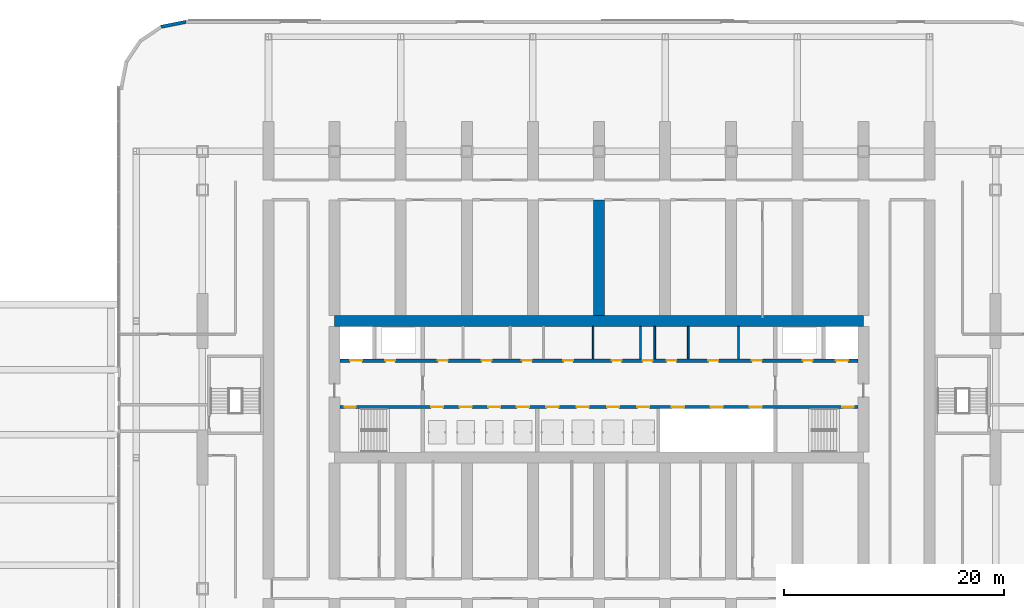
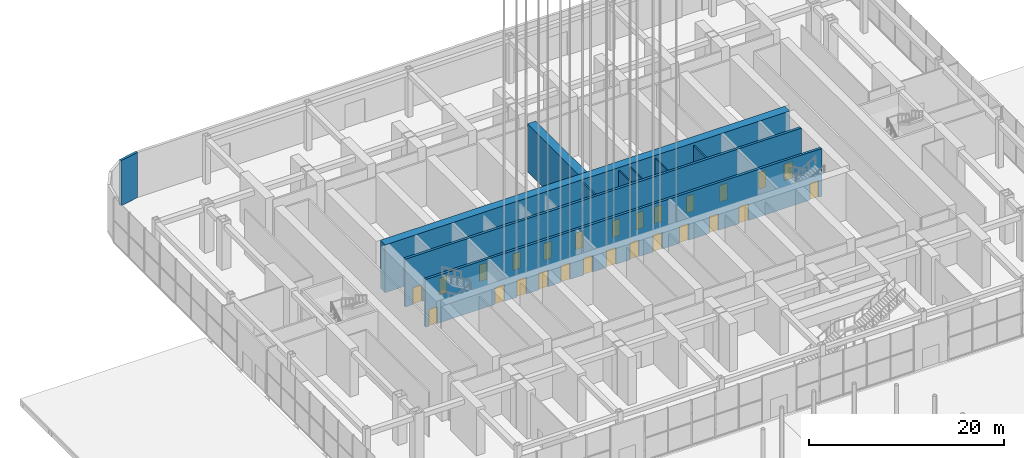
# One storey, part 20 of 57: 26 doors, 10 walls, 26 openings.
"""IFC4 building model written with IfcOpenShell, lengths in metres."""

from ifc_helpers import new_model, si_unit, direction, frame, frame_2d, origin, place, context, subcontext, project, spatial, polyline, rectangle, outline, extrude, material, layer, layer_set, type_object, element, fill, save


model = new_model("IFC4")

# Units and contexts
model_context = context("Model", 3, precision=1e-05, world=origin(), true_north=direction((0.0, 1.0)))
body_context = subcontext(model_context, "Body", "Model", "MODEL_VIEW")
ifc_project = project(units=[si_unit("LENGTHUNIT", "METRE"), si_unit("AREAUNIT", "SQUARE_METRE"), si_unit("VOLUMEUNIT", "CUBIC_METRE"), si_unit("PLANEANGLEUNIT", "RADIAN"), si_unit("MASSUNIT", "GRAM", prefix="KILO")], contexts=[model_context])

# Site, building, storey
site_placement = place(None, origin())
site = spatial("IfcSite", under=ifc_project, at=site_placement, CompositionType="ELEMENT")
building_placement = place(site_placement, origin())
building = spatial("IfcBuilding", under=site, at=building_placement, Name="Orbita Commons", CompositionType="ELEMENT")
storey_placement = place(building_placement, origin())
storey = spatial("IfcBuildingStorey", under=building, at=storey_placement, Name="L00", CompositionType="ELEMENT", Elevation=0.0)

# Wall, openings, doors
ifc_material_1 = material(Name="Concrete C50/60", Category="concrete")
ifc_layer_1 = layer(ifc_material_1, 0.300048828125)
ifc_layer_set_1 = layer_set([ifc_layer_1], Name="Concrete C50/60")
wall_type_1 = type_object("IfcWallType", Name="Core inner wall 300 C50/60", PredefinedType="SHEAR", material=ifc_layer_set_1)
wall_1_placement = place(storey_placement, frame((18.5, 30.39990234375, 0.0), z_axis=(0.0, 0.0, 1.0), x_axis=(1.0, 0.0, 0.0)))
wall_1 = element("IfcWall", 1, at=wall_1_placement, inside=storey, type_object=wall_type_1, Name="Lobby wall south L00", PredefinedType="SHEAR", context=body_context, shape_type="SweptSolid", body=[
    extrude(rectangle(XDim=47.0, YDim=0.300048828125, at=frame_2d((23.5, 0.0))), origin(), (0.0, 0.0, 1.0), 6.0),
])
opening_1_placement = place(wall_1_placement, frame((0.39990234375, 0.0, 0.0)))
opening_1 = element("IfcOpeningElement", 2, at=opening_1_placement, cuts=wall_1, Name="Opening D02", PredefinedType="OPENING", context=body_context, shape_type="SweptSolid", body=[
    extrude(rectangle(XDim=1.0, YDim=2.10009765625, at=frame_2d((0.5, 1.050048828125))), frame((0.0, 0.159912109375, 0.0), z_axis=(0.0, -1.0, 0.0), x_axis=(1.0, 0.0, 0.0)), (0.0, 0.0, 1.0), 0.320068359375),
])
opening_2_placement = place(wall_1_placement, frame((45.60009765625, 0.0, 0.0)))
opening_2 = element("IfcOpeningElement", 3, at=opening_2_placement, cuts=wall_1, Name="Opening D02", PredefinedType="OPENING", context=body_context, shape_type="SweptSolid", body=[
    extrude(rectangle(XDim=1.0, YDim=2.10009765625, at=frame_2d((0.5, 1.050048828125))), frame((0.0, 0.159912109375, 0.0), z_axis=(0.0, -1.0, 0.0), x_axis=(1.0, 0.0, 0.0)), (0.0, 0.0, 1.0), 0.320068359375),
])
opening_3_placement = place(wall_1_placement, frame((8.25, 0.0, 0.0)))
opening_3 = element("IfcOpeningElement", 4, at=opening_3_placement, cuts=wall_1, Name="Opening LD02", PredefinedType="OPENING", context=body_context, shape_type="SweptSolid", body=[
    extrude(rectangle(XDim=1.10009765625, YDim=2.10009765625, at=frame_2d((0.550048828125, 1.050048828125))), frame((0.0, 0.159912109375, 0.0), z_axis=(0.0, -1.0, 0.0), x_axis=(1.0, 0.0, 0.0)), (0.0, 0.0, 1.0), 0.320068359375),
])
opening_4_placement = place(wall_1_placement, frame((10.85009765625, 0.0, 0.0)))
opening_4 = element("IfcOpeningElement", 5, at=opening_4_placement, cuts=wall_1, Name="Opening LD02", PredefinedType="OPENING", context=body_context, shape_type="SweptSolid", body=[
    extrude(rectangle(XDim=1.10009765625, YDim=2.10009765625, at=frame_2d((0.550048828125, 1.050048828125))), frame((0.0, 0.159912109375, 0.0), z_axis=(0.0, -1.0, 0.0), x_axis=(1.0, 0.0, 0.0)), (0.0, 0.0, 1.0), 0.320068359375),
])
opening_5_placement = place(wall_1_placement, frame((13.449951171875, 0.0, 0.0)))
opening_5 = element("IfcOpeningElement", 6, at=opening_5_placement, cuts=wall_1, Name="Opening LD02", PredefinedType="OPENING", context=body_context, shape_type="SweptSolid", body=[
    extrude(rectangle(XDim=1.10009765625, YDim=2.10009765625, at=frame_2d((0.550048828125, 1.050048828125))), frame((0.0, 0.159912109375, 0.0), z_axis=(0.0, -1.0, 0.0), x_axis=(1.0, 0.0, 0.0)), (0.0, 0.0, 1.0), 0.320068359375),
])
opening_6_placement = place(wall_1_placement, frame((16.050048828125, 0.0, 0.0)))
opening_6 = element("IfcOpeningElement", 7, at=opening_6_placement, cuts=wall_1, Name="Opening LD02", PredefinedType="OPENING", context=body_context, shape_type="SweptSolid", body=[
    extrude(rectangle(XDim=1.10009765625, YDim=2.10009765625, at=frame_2d((0.550048828125, 1.050048828125))), frame((0.0, 0.159912109375, 0.0), z_axis=(0.0, -1.0, 0.0), x_axis=(1.0, 0.0, 0.0)), (0.0, 0.0, 1.0), 0.320068359375),
])
opening_7_placement = place(wall_1_placement, frame((18.72509765625, 0.0, 0.0)))
opening_7 = element("IfcOpeningElement", 8, at=opening_7_placement, cuts=wall_1, Name="Opening LD02", PredefinedType="OPENING", context=body_context, shape_type="SweptSolid", body=[
    extrude(rectangle(XDim=1.10009765625, YDim=2.10009765625, at=frame_2d((0.550048828125, 1.050048828125))), frame((0.0, 0.159912109375, 0.0), z_axis=(0.0, -1.0, 0.0), x_axis=(1.0, 0.0, 0.0)), (0.0, 0.0, 1.0), 0.320068359375),
])
opening_8_placement = place(wall_1_placement, frame((21.47509765625, 0.0, 0.0)))
opening_8 = element("IfcOpeningElement", 9, at=opening_8_placement, cuts=wall_1, Name="Opening LD02", PredefinedType="OPENING", context=body_context, shape_type="SweptSolid", body=[
    extrude(rectangle(XDim=1.10009765625, YDim=2.10009765625, at=frame_2d((0.550048828125, 1.050048828125))), frame((0.0, 0.159912109375, 0.0), z_axis=(0.0, -1.0, 0.0), x_axis=(1.0, 0.0, 0.0)), (0.0, 0.0, 1.0), 0.320068359375),
])
opening_9_placement = place(wall_1_placement, frame((24.22509765625, 0.0, 0.0)))
opening_9 = element("IfcOpeningElement", 10, at=opening_9_placement, cuts=wall_1, Name="Opening LD02", PredefinedType="OPENING", context=body_context, shape_type="SweptSolid", body=[
    extrude(rectangle(XDim=1.10009765625, YDim=2.10009765625, at=frame_2d((0.550048828125, 1.050048828125))), frame((0.0, 0.159912109375, 0.0), z_axis=(0.0, -1.0, 0.0), x_axis=(1.0, 0.0, 0.0)), (0.0, 0.0, 1.0), 0.320068359375),
])
opening_10_placement = place(wall_1_placement, frame((26.97509765625, 0.0, 0.0)))
opening_10 = element("IfcOpeningElement", 11, at=opening_10_placement, cuts=wall_1, Name="Opening LD02", PredefinedType="OPENING", context=body_context, shape_type="SweptSolid", body=[
    extrude(rectangle(XDim=1.10009765625, YDim=2.10009765625, at=frame_2d((0.550048828125, 1.050048828125))), frame((0.0, 0.159912109375, 0.0), z_axis=(0.0, -1.0, 0.0), x_axis=(1.0, 0.0, 0.0)), (0.0, 0.0, 1.0), 0.320068359375),
])
opening_11_placement = place(wall_1_placement, frame((30.11669921875, 0.0, 0.0)))
opening_11 = element("IfcOpeningElement", 12, at=opening_11_placement, cuts=wall_1, Name="Opening LD02", PredefinedType="OPENING", context=body_context, shape_type="SweptSolid", body=[
    extrude(rectangle(XDim=1.10009765625, YDim=2.10009765625, at=frame_2d((0.550048828125, 1.050048828125))), frame((0.0, 0.159912109375, 0.0), z_axis=(0.0, -1.0, 0.0), x_axis=(1.0, 0.0, 0.0)), (0.0, 0.0, 1.0), 0.320068359375),
])
opening_12_placement = place(wall_1_placement, frame((33.64990234375, 0.0, 0.0)))
opening_12 = element("IfcOpeningElement", 13, at=opening_12_placement, cuts=wall_1, Name="Opening LD02", PredefinedType="OPENING", context=body_context, shape_type="SweptSolid", body=[
    extrude(rectangle(XDim=1.10009765625, YDim=2.10009765625, at=frame_2d((0.550048828125, 1.050048828125))), frame((0.0, 0.159912109375, 0.0), z_axis=(0.0, -1.0, 0.0), x_axis=(1.0, 0.0, 0.0)), (0.0, 0.0, 1.0), 0.320068359375),
])
opening_13_placement = place(wall_1_placement, frame((37.183349609375, 0.0, 0.0)))
opening_13 = element("IfcOpeningElement", 14, at=opening_13_placement, cuts=wall_1, Name="Opening LD02", PredefinedType="OPENING", context=body_context, shape_type="SweptSolid", body=[
    extrude(rectangle(XDim=1.10009765625, YDim=2.10009765625, at=frame_2d((0.550048828125, 1.050048828125))), frame((0.0, 0.159912109375, 0.0), z_axis=(0.0, -1.0, 0.0), x_axis=(1.0, 0.0, 0.0)), (0.0, 0.0, 1.0), 0.320068359375),
])
ifc_material_2 = material(Name="Steel-faced fire door leaf", Category="steel")
door_type_1 = type_object("IfcDoorType", Name="Fire door 90 min 1000x2100", OperationType="SINGLE_SWING_LEFT", PredefinedType="DOOR", material=ifc_material_2)
door_1_placement = place(opening_1_placement, origin())
door_1 = element("IfcDoor", 15, at=door_1_placement, inside=storey, type_object=door_type_1, Name="Stair S1 door", OperationType="SINGLE_SWING_LEFT", OverallHeight=2.10009765625, OverallWidth=1.0, PredefinedType="DOOR", context=body_context, shape_type="SweptSolid", body=[
    extrude(rectangle(XDim=1.0, YDim=2.10009765625, at=frame_2d((0.5, 1.050048828125))), frame((0.0, 0.02490234375, 0.0), z_axis=(0.0, -1.0, 0.0), x_axis=(1.0, 0.0, 0.0)), (0.0, 0.0, 1.0), 0.050048828125),
])
fill(opening_1, door_1)
door_2_placement = place(opening_2_placement, origin())
door_2 = element("IfcDoor", 16, at=door_2_placement, inside=storey, type_object=door_type_1, Name="Stair S2 door", OperationType="SINGLE_SWING_LEFT", OverallHeight=2.10009765625, OverallWidth=1.0, PredefinedType="DOOR", context=body_context, shape_type="SweptSolid", body=[
    extrude(rectangle(XDim=1.0, YDim=2.10009765625, at=frame_2d((0.5, 1.050048828125))), frame((0.0, 0.02490234375, 0.0), z_axis=(0.0, -1.0, 0.0), x_axis=(1.0, 0.0, 0.0)), (0.0, 0.0, 1.0), 0.050048828125),
])
fill(opening_2, door_2)
ifc_material_3 = material(Name="Steel-faced fire door leaf", Category="steel")
door_type_2 = type_object("IfcDoorType", Name="Lift landing door 1100x2100", OperationType="DOUBLE_DOOR_SLIDING", PredefinedType="DOOR", material=ifc_material_3)
door_3_placement = place(opening_3_placement, origin())
door_3 = element("IfcDoor", 17, at=door_3_placement, inside=storey, type_object=door_type_2, Name="Lift P11 landing door", OperationType="DOUBLE_DOOR_SLIDING", OverallHeight=2.10009765625, OverallWidth=1.10009765625, PredefinedType="DOOR", context=body_context, shape_type="SweptSolid", body=[
    extrude(rectangle(XDim=1.10009765625, YDim=2.10009765625, at=frame_2d((0.550048828125, 1.050048828125))), frame((0.0, 0.02490234375, 0.0), z_axis=(0.0, -1.0, 0.0), x_axis=(1.0, 0.0, 0.0)), (0.0, 0.0, 1.0), 0.050048828125),
])
fill(opening_3, door_3)
door_4_placement = place(opening_4_placement, origin())
door_4 = element("IfcDoor", 18, at=door_4_placement, inside=storey, type_object=door_type_2, Name="Lift P12 landing door", OperationType="DOUBLE_DOOR_SLIDING", OverallHeight=2.10009765625, OverallWidth=1.10009765625, PredefinedType="DOOR", context=body_context, shape_type="SweptSolid", body=[
    extrude(rectangle(XDim=1.10009765625, YDim=2.10009765625, at=frame_2d((0.550048828125, 1.050048828125))), frame((0.0, 0.02490234375, 0.0), z_axis=(0.0, -1.0, 0.0), x_axis=(1.0, 0.0, 0.0)), (0.0, 0.0, 1.0), 0.050048828125),
])
fill(opening_4, door_4)
door_5_placement = place(opening_5_placement, origin())
door_5 = element("IfcDoor", 19, at=door_5_placement, inside=storey, type_object=door_type_2, Name="Lift P13 landing door", OperationType="DOUBLE_DOOR_SLIDING", OverallHeight=2.10009765625, OverallWidth=1.10009765625, PredefinedType="DOOR", context=body_context, shape_type="SweptSolid", body=[
    extrude(rectangle(XDim=1.10009765625, YDim=2.10009765625, at=frame_2d((0.550048828125, 1.050048828125))), frame((0.0, 0.02490234375, 0.0), z_axis=(0.0, -1.0, 0.0), x_axis=(1.0, 0.0, 0.0)), (0.0, 0.0, 1.0), 0.050048828125),
])
fill(opening_5, door_5)
door_6_placement = place(opening_6_placement, origin())
door_6 = element("IfcDoor", 20, at=door_6_placement, inside=storey, type_object=door_type_2, Name="Lift P14 landing door", OperationType="DOUBLE_DOOR_SLIDING", OverallHeight=2.10009765625, OverallWidth=1.10009765625, PredefinedType="DOOR", context=body_context, shape_type="SweptSolid", body=[
    extrude(rectangle(XDim=1.10009765625, YDim=2.10009765625, at=frame_2d((0.550048828125, 1.050048828125))), frame((0.0, 0.02490234375, 0.0), z_axis=(0.0, -1.0, 0.0), x_axis=(1.0, 0.0, 0.0)), (0.0, 0.0, 1.0), 0.050048828125),
])
fill(opening_6, door_6)
door_7_placement = place(opening_7_placement, origin())
door_7 = element("IfcDoor", 21, at=door_7_placement, inside=storey, type_object=door_type_2, Name="Lift SH11 landing door", OperationType="DOUBLE_DOOR_SLIDING", OverallHeight=2.10009765625, OverallWidth=1.10009765625, PredefinedType="DOOR", context=body_context, shape_type="SweptSolid", body=[
    extrude(rectangle(XDim=1.10009765625, YDim=2.10009765625, at=frame_2d((0.550048828125, 1.050048828125))), frame((0.0, 0.02490234375, 0.0), z_axis=(0.0, -1.0, 0.0), x_axis=(1.0, 0.0, 0.0)), (0.0, 0.0, 1.0), 0.050048828125),
])
fill(opening_7, door_7)
door_8_placement = place(opening_8_placement, origin())
door_8 = element("IfcDoor", 22, at=door_8_placement, inside=storey, type_object=door_type_2, Name="Lift SH21 landing door", OperationType="DOUBLE_DOOR_SLIDING", OverallHeight=2.10009765625, OverallWidth=1.10009765625, PredefinedType="DOOR", context=body_context, shape_type="SweptSolid", body=[
    extrude(rectangle(XDim=1.10009765625, YDim=2.10009765625, at=frame_2d((0.550048828125, 1.050048828125))), frame((0.0, 0.02490234375, 0.0), z_axis=(0.0, -1.0, 0.0), x_axis=(1.0, 0.0, 0.0)), (0.0, 0.0, 1.0), 0.050048828125),
])
fill(opening_8, door_8)
door_9_placement = place(opening_9_placement, origin())
door_9 = element("IfcDoor", 23, at=door_9_placement, inside=storey, type_object=door_type_2, Name="Lift SH31 landing door", OperationType="DOUBLE_DOOR_SLIDING", OverallHeight=2.10009765625, OverallWidth=1.10009765625, PredefinedType="DOOR", context=body_context, shape_type="SweptSolid", body=[
    extrude(rectangle(XDim=1.10009765625, YDim=2.10009765625, at=frame_2d((0.550048828125, 1.050048828125))), frame((0.0, 0.02490234375, 0.0), z_axis=(0.0, -1.0, 0.0), x_axis=(1.0, 0.0, 0.0)), (0.0, 0.0, 1.0), 0.050048828125),
])
fill(opening_9, door_9)
door_10_placement = place(opening_10_placement, origin())
door_10 = element("IfcDoor", 24, at=door_10_placement, inside=storey, type_object=door_type_2, Name="Lift SH32 landing door", OperationType="DOUBLE_DOOR_SLIDING", OverallHeight=2.10009765625, OverallWidth=1.10009765625, PredefinedType="DOOR", context=body_context, shape_type="SweptSolid", body=[
    extrude(rectangle(XDim=1.10009765625, YDim=2.10009765625, at=frame_2d((0.550048828125, 1.050048828125))), frame((0.0, 0.02490234375, 0.0), z_axis=(0.0, -1.0, 0.0), x_axis=(1.0, 0.0, 0.0)), (0.0, 0.0, 1.0), 0.050048828125),
])
fill(opening_10, door_10)
door_11_placement = place(opening_11_placement, origin())
door_11 = element("IfcDoor", 25, at=door_11_placement, inside=storey, type_object=door_type_2, Name="Lift SV1 landing door", OperationType="DOUBLE_DOOR_SLIDING", OverallHeight=2.10009765625, OverallWidth=1.10009765625, PredefinedType="DOOR", context=body_context, shape_type="SweptSolid", body=[
    extrude(rectangle(XDim=1.10009765625, YDim=2.10009765625, at=frame_2d((0.550048828125, 1.050048828125))), frame((0.0, 0.02490234375, 0.0), z_axis=(0.0, -1.0, 0.0), x_axis=(1.0, 0.0, 0.0)), (0.0, 0.0, 1.0), 0.050048828125),
])
fill(opening_11, door_11)
door_12_placement = place(opening_12_placement, origin())
door_12 = element("IfcDoor", 26, at=door_12_placement, inside=storey, type_object=door_type_2, Name="Lift SV2 landing door", OperationType="DOUBLE_DOOR_SLIDING", OverallHeight=2.10009765625, OverallWidth=1.10009765625, PredefinedType="DOOR", context=body_context, shape_type="SweptSolid", body=[
    extrude(rectangle(XDim=1.10009765625, YDim=2.10009765625, at=frame_2d((0.550048828125, 1.050048828125))), frame((0.0, 0.02490234375, 0.0), z_axis=(0.0, -1.0, 0.0), x_axis=(1.0, 0.0, 0.0)), (0.0, 0.0, 1.0), 0.050048828125),
])
fill(opening_12, door_12)
door_13_placement = place(opening_13_placement, origin())
door_13 = element("IfcDoor", 27, at=door_13_placement, inside=storey, type_object=door_type_2, Name="Lift SV3 landing door", OperationType="DOUBLE_DOOR_SLIDING", OverallHeight=2.10009765625, OverallWidth=1.10009765625, PredefinedType="DOOR", context=body_context, shape_type="SweptSolid", body=[
    extrude(rectangle(XDim=1.10009765625, YDim=2.10009765625, at=frame_2d((0.550048828125, 1.050048828125))), frame((0.0, 0.02490234375, 0.0), z_axis=(0.0, -1.0, 0.0), x_axis=(1.0, 0.0, 0.0)), (0.0, 0.0, 1.0), 0.050048828125),
])
fill(opening_13, door_13)

wall_2_placement = place(storey_placement, frame((18.5, 34.60009765625, 0.0), z_axis=(0.0, 0.0, 1.0), x_axis=(1.0, 0.0, 0.0)))
wall_2 = element("IfcWall", 28, at=wall_2_placement, inside=storey, type_object=wall_type_1, Name="Lobby wall north L00", PredefinedType="SHEAR", context=body_context, shape_type="SweptSolid", body=[
    extrude(rectangle(XDim=47.0, YDim=0.300048828125, at=frame_2d((23.5, 0.0))), origin(), (0.0, 0.0, 1.0), 6.0),
])
opening_14_placement = place(wall_2_placement, frame((0.89990234375, 0.0, 0.0)))
opening_14 = element("IfcOpeningElement", 29, at=opening_14_placement, cuts=wall_2, Name="Opening LD01", PredefinedType="OPENING", context=body_context, shape_type="SweptSolid", body=[
    extrude(rectangle(XDim=1.10009765625, YDim=2.10009765625, at=frame_2d((0.550048828125, 1.050048828125))), frame((0.0, 0.159912109375, 0.0), z_axis=(0.0, -1.0, 0.0), x_axis=(1.0, 0.0, 0.0)), (0.0, 0.0, 1.0), 0.320068359375),
])
opening_15_placement = place(wall_2_placement, frame((45.0, 0.0, 0.0)))
opening_15 = element("IfcOpeningElement", 30, at=opening_15_placement, cuts=wall_2, Name="Opening LD01", PredefinedType="OPENING", context=body_context, shape_type="SweptSolid", body=[
    extrude(rectangle(XDim=1.10009765625, YDim=2.10009765625, at=frame_2d((0.550048828125, 1.050048828125))), frame((0.0, 0.159912109375, 0.0), z_axis=(0.0, -1.0, 0.0), x_axis=(1.0, 0.0, 0.0)), (0.0, 0.0, 1.0), 0.320068359375),
])
opening_16_placement = place(wall_2_placement, frame((4.10009765625, 0.0, 0.0)))
opening_16 = element("IfcOpeningElement", 31, at=opening_16_placement, cuts=wall_2, Name="Opening D03", PredefinedType="OPENING", context=body_context, shape_type="SweptSolid", body=[
    extrude(rectangle(XDim=0.89990234375, YDim=2.10009765625, at=frame_2d((0.449951171875, 1.050048828125))), frame((0.0, 0.159912109375, 0.0), z_axis=(0.0, -1.0, 0.0), x_axis=(1.0, 0.0, 0.0)), (0.0, 0.0, 1.0), 0.320068359375),
])
opening_17_placement = place(wall_2_placement, frame((42.0, 0.0, 0.0)))
opening_17 = element("IfcOpeningElement", 32, at=opening_17_placement, cuts=wall_2, Name="Opening D03", PredefinedType="OPENING", context=body_context, shape_type="SweptSolid", body=[
    extrude(rectangle(XDim=0.89990234375, YDim=2.10009765625, at=frame_2d((0.449951171875, 1.050048828125))), frame((0.0, 0.159912109375, 0.0), z_axis=(0.0, -1.0, 0.0), x_axis=(1.0, 0.0, 0.0)), (0.0, 0.0, 1.0), 0.320068359375),
])
opening_18_placement = place(wall_2_placement, frame((8.87548828125, 0.0, 0.0)))
opening_18 = element("IfcOpeningElement", 33, at=opening_18_placement, cuts=wall_2, Name="Opening D03", PredefinedType="OPENING", context=body_context, shape_type="SweptSolid", body=[
    extrude(rectangle(XDim=0.89990234375, YDim=2.10009765625, at=frame_2d((0.449951171875, 1.050048828125))), frame((0.0, 0.159912109375, 0.0), z_axis=(0.0, -1.0, 0.0), x_axis=(1.0, 0.0, 0.0)), (0.0, 0.0, 1.0), 0.320068359375),
])
opening_19_placement = place(wall_2_placement, frame((12.8486328125, 0.0, 0.0)))
opening_19 = element("IfcOpeningElement", 34, at=opening_19_placement, cuts=wall_2, Name="Opening D03", PredefinedType="OPENING", context=body_context, shape_type="SweptSolid", body=[
    extrude(rectangle(XDim=0.89990234375, YDim=2.10009765625, at=frame_2d((0.449951171875, 1.050048828125))), frame((0.0, 0.159912109375, 0.0), z_axis=(0.0, -1.0, 0.0), x_axis=(1.0, 0.0, 0.0)), (0.0, 0.0, 1.0), 0.320068359375),
])
opening_20_placement = place(wall_2_placement, frame((16.496337890625, 0.0, 0.0)))
opening_20 = element("IfcOpeningElement", 35, at=opening_20_placement, cuts=wall_2, Name="Opening D03", PredefinedType="OPENING", context=body_context, shape_type="SweptSolid", body=[
    extrude(rectangle(XDim=0.89990234375, YDim=2.10009765625, at=frame_2d((0.449951171875, 1.050048828125))), frame((0.0, 0.159912109375, 0.0), z_axis=(0.0, -1.0, 0.0), x_axis=(1.0, 0.0, 0.0)), (0.0, 0.0, 1.0), 0.320068359375),
])
opening_21_placement = place(wall_2_placement, frame((20.254638671875, 0.0, 0.0)))
opening_21 = element("IfcOpeningElement", 36, at=opening_21_placement, cuts=wall_2, Name="Opening D05", PredefinedType="OPENING", context=body_context, shape_type="SweptSolid", body=[
    extrude(rectangle(XDim=0.89990234375, YDim=2.10009765625, at=frame_2d((0.449951171875, 1.050048828125))), frame((0.0, 0.159912109375, 0.0), z_axis=(0.0, -1.0, 0.0), x_axis=(1.0, 0.0, 0.0)), (0.0, 0.0, 1.0), 0.320068359375),
])
opening_22_placement = place(wall_2_placement, frame((24.66064453125, 0.0, 0.0)))
opening_22 = element("IfcOpeningElement", 37, at=opening_22_placement, cuts=wall_2, Name="Opening D03", PredefinedType="OPENING", context=body_context, shape_type="SweptSolid", body=[
    extrude(rectangle(XDim=0.89990234375, YDim=2.10009765625, at=frame_2d((0.449951171875, 1.050048828125))), frame((0.0, 0.159912109375, 0.0), z_axis=(0.0, -1.0, 0.0), x_axis=(1.0, 0.0, 0.0)), (0.0, 0.0, 1.0), 0.320068359375),
])
opening_23_placement = place(wall_2_placement, frame((27.45849609375, 0.0, 0.0)))
opening_23 = element("IfcOpeningElement", 38, at=opening_23_placement, cuts=wall_2, Name="Opening D03", PredefinedType="OPENING", context=body_context, shape_type="SweptSolid", body=[
    extrude(rectangle(XDim=0.89990234375, YDim=2.10009765625, at=frame_2d((0.449951171875, 1.050048828125))), frame((0.0, 0.159912109375, 0.0), z_axis=(0.0, -1.0, 0.0), x_axis=(1.0, 0.0, 0.0)), (0.0, 0.0, 1.0), 0.320068359375),
])
opening_24_placement = place(wall_2_placement, frame((29.628173828125, 0.0, 0.0)))
opening_24 = element("IfcOpeningElement", 39, at=opening_24_placement, cuts=wall_2, Name="Opening D05", PredefinedType="OPENING", context=body_context, shape_type="SweptSolid", body=[
    extrude(rectangle(XDim=0.89990234375, YDim=2.10009765625, at=frame_2d((0.449951171875, 1.050048828125))), frame((0.0, 0.159912109375, 0.0), z_axis=(0.0, -1.0, 0.0), x_axis=(1.0, 0.0, 0.0)), (0.0, 0.0, 1.0), 0.320068359375),
])
opening_25_placement = place(wall_2_placement, frame((33.42724609375, 0.0, 0.0)))
opening_25 = element("IfcOpeningElement", 40, at=opening_25_placement, cuts=wall_2, Name="Opening D05", PredefinedType="OPENING", context=body_context, shape_type="SweptSolid", body=[
    extrude(rectangle(XDim=0.89990234375, YDim=2.10009765625, at=frame_2d((0.449951171875, 1.050048828125))), frame((0.0, 0.159912109375, 0.0), z_axis=(0.0, -1.0, 0.0), x_axis=(1.0, 0.0, 0.0)), (0.0, 0.0, 1.0), 0.320068359375),
])
opening_26_placement = place(wall_2_placement, frame((37.37841796875, 0.0, 0.0)))
opening_26 = element("IfcOpeningElement", 41, at=opening_26_placement, cuts=wall_2, Name="Opening D03", PredefinedType="OPENING", context=body_context, shape_type="SweptSolid", body=[
    extrude(rectangle(XDim=0.89990234375, YDim=2.10009765625, at=frame_2d((0.449951171875, 1.050048828125))), frame((0.0, 0.159912109375, 0.0), z_axis=(0.0, -1.0, 0.0), x_axis=(1.0, 0.0, 0.0)), (0.0, 0.0, 1.0), 0.320068359375),
])
ifc_material_4 = material(Name="Steel-faced fire door leaf", Category="steel")
door_type_3 = type_object("IfcDoorType", Name="Firefighting lift landing door 1100x2100", OperationType="DOUBLE_DOOR_SLIDING", PredefinedType="DOOR", material=ifc_material_4)
door_14_placement = place(opening_14_placement, origin())
door_14 = element("IfcDoor", 42, at=door_14_placement, inside=storey, type_object=door_type_3, Name="Firefighting lift FL1 landing door", OperationType="DOUBLE_DOOR_SLIDING", OverallHeight=2.10009765625, OverallWidth=1.10009765625, PredefinedType="DOOR", context=body_context, shape_type="SweptSolid", body=[
    extrude(rectangle(XDim=1.10009765625, YDim=2.10009765625, at=frame_2d((0.550048828125, 1.050048828125))), frame((0.0, 0.02490234375, 0.0), z_axis=(0.0, -1.0, 0.0), x_axis=(1.0, 0.0, 0.0)), (0.0, 0.0, 1.0), 0.050048828125),
])
fill(opening_14, door_14)
door_15_placement = place(opening_15_placement, origin())
door_15 = element("IfcDoor", 43, at=door_15_placement, inside=storey, type_object=door_type_3, Name="Firefighting lift FL2 landing door", OperationType="DOUBLE_DOOR_SLIDING", OverallHeight=2.10009765625, OverallWidth=1.10009765625, PredefinedType="DOOR", context=body_context, shape_type="SweptSolid", body=[
    extrude(rectangle(XDim=1.10009765625, YDim=2.10009765625, at=frame_2d((0.550048828125, 1.050048828125))), frame((0.0, 0.02490234375, 0.0), z_axis=(0.0, -1.0, 0.0), x_axis=(1.0, 0.0, 0.0)), (0.0, 0.0, 1.0), 0.050048828125),
])
fill(opening_15, door_15)
ifc_material_5 = material(Name="Steel-faced fire door leaf", Category="steel")
door_type_4 = type_object("IfcDoorType", Name="Service door 20 min 900x2100", OperationType="SINGLE_SWING_LEFT", PredefinedType="DOOR", material=ifc_material_5)
door_16_placement = place(opening_21_placement, origin())
door_16 = element("IfcDoor", 44, at=door_16_placement, inside=storey, type_object=door_type_4, Name="Accessible WC door", OperationType="SINGLE_SWING_LEFT", OverallHeight=2.10009765625, OverallWidth=0.89990234375, PredefinedType="DOOR", context=body_context, shape_type="SweptSolid", body=[
    extrude(rectangle(XDim=0.89990234375, YDim=2.10009765625, at=frame_2d((0.449951171875, 1.050048828125))), frame((0.0, 0.02490234375, 0.0), z_axis=(0.0, -1.0, 0.0), x_axis=(1.0, 0.0, 0.0)), (0.0, 0.0, 1.0), 0.050048828125),
])
fill(opening_21, door_16)
door_17_placement = place(opening_24_placement, origin())
door_17 = element("IfcDoor", 45, at=door_17_placement, inside=storey, type_object=door_type_4, Name="Staff WC door", OperationType="SINGLE_SWING_LEFT", OverallHeight=2.10009765625, OverallWidth=0.89990234375, PredefinedType="DOOR", context=body_context, shape_type="SweptSolid", body=[
    extrude(rectangle(XDim=0.89990234375, YDim=2.10009765625, at=frame_2d((0.449951171875, 1.050048828125))), frame((0.0, 0.02490234375, 0.0), z_axis=(0.0, -1.0, 0.0), x_axis=(1.0, 0.0, 0.0)), (0.0, 0.0, 1.0), 0.050048828125),
])
fill(opening_24, door_17)
door_18_placement = place(opening_25_placement, origin())
door_18 = element("IfcDoor", 46, at=door_18_placement, inside=storey, type_object=door_type_4, Name="Vending and ice room door", OperationType="SINGLE_SWING_LEFT", OverallHeight=2.10009765625, OverallWidth=0.89990234375, PredefinedType="DOOR", context=body_context, shape_type="SweptSolid", body=[
    extrude(rectangle(XDim=0.89990234375, YDim=2.10009765625, at=frame_2d((0.449951171875, 1.050048828125))), frame((0.0, 0.02490234375, 0.0), z_axis=(0.0, -1.0, 0.0), x_axis=(1.0, 0.0, 0.0)), (0.0, 0.0, 1.0), 0.050048828125),
])
fill(opening_25, door_18)
ifc_material_6 = material(Name="Steel-faced fire door leaf", Category="steel")
door_type_5 = type_object("IfcDoorType", Name="Shaft access door 90 min 900x2100", OperationType="SINGLE_SWING_LEFT", PredefinedType="DOOR", material=ifc_material_6)
door_19_placement = place(opening_16_placement, origin())
door_19 = element("IfcDoor", 47, at=door_19_placement, inside=storey, type_object=door_type_5, Name="Riser door west", OperationType="SINGLE_SWING_LEFT", OverallHeight=2.10009765625, OverallWidth=0.89990234375, PredefinedType="DOOR", context=body_context, shape_type="SweptSolid", body=[
    extrude(rectangle(XDim=0.89990234375, YDim=2.10009765625, at=frame_2d((0.449951171875, 1.050048828125))), frame((0.0, 0.02490234375, 0.0), z_axis=(0.0, -1.0, 0.0), x_axis=(1.0, 0.0, 0.0)), (0.0, 0.0, 1.0), 0.050048828125),
])
fill(opening_16, door_19)
door_20_placement = place(opening_17_placement, origin())
door_20 = element("IfcDoor", 48, at=door_20_placement, inside=storey, type_object=door_type_5, Name="Riser door east", OperationType="SINGLE_SWING_LEFT", OverallHeight=2.10009765625, OverallWidth=0.89990234375, PredefinedType="DOOR", context=body_context, shape_type="SweptSolid", body=[
    extrude(rectangle(XDim=0.89990234375, YDim=2.10009765625, at=frame_2d((0.449951171875, 1.050048828125))), frame((0.0, 0.02490234375, 0.0), z_axis=(0.0, -1.0, 0.0), x_axis=(1.0, 0.0, 0.0)), (0.0, 0.0, 1.0), 0.050048828125),
])
fill(opening_17, door_20)
door_21_placement = place(opening_18_placement, origin())
door_21 = element("IfcDoor", 49, at=door_21_placement, inside=storey, type_object=door_type_5, Name="Cleaners store door", OperationType="SINGLE_SWING_LEFT", OverallHeight=2.10009765625, OverallWidth=0.89990234375, PredefinedType="DOOR", context=body_context, shape_type="SweptSolid", body=[
    extrude(rectangle(XDim=0.89990234375, YDim=2.10009765625, at=frame_2d((0.449951171875, 1.050048828125))), frame((0.0, 0.02490234375, 0.0), z_axis=(0.0, -1.0, 0.0), x_axis=(1.0, 0.0, 0.0)), (0.0, 0.0, 1.0), 0.050048828125),
])
fill(opening_18, door_21)
door_22_placement = place(opening_19_placement, origin())
door_22 = element("IfcDoor", 50, at=door_22_placement, inside=storey, type_object=door_type_5, Name="Refuse chute room door", OperationType="SINGLE_SWING_LEFT", OverallHeight=2.10009765625, OverallWidth=0.89990234375, PredefinedType="DOOR", context=body_context, shape_type="SweptSolid", body=[
    extrude(rectangle(XDim=0.89990234375, YDim=2.10009765625, at=frame_2d((0.449951171875, 1.050048828125))), frame((0.0, 0.02490234375, 0.0), z_axis=(0.0, -1.0, 0.0), x_axis=(1.0, 0.0, 0.0)), (0.0, 0.0, 1.0), 0.050048828125),
])
fill(opening_19, door_22)
door_23_placement = place(opening_20_placement, origin())
door_23 = element("IfcDoor", 51, at=door_23_placement, inside=storey, type_object=door_type_5, Name="Electrical riser room door", OperationType="SINGLE_SWING_LEFT", OverallHeight=2.10009765625, OverallWidth=0.89990234375, PredefinedType="DOOR", context=body_context, shape_type="SweptSolid", body=[
    extrude(rectangle(XDim=0.89990234375, YDim=2.10009765625, at=frame_2d((0.449951171875, 1.050048828125))), frame((0.0, 0.02490234375, 0.0), z_axis=(0.0, -1.0, 0.0), x_axis=(1.0, 0.0, 0.0)), (0.0, 0.0, 1.0), 0.050048828125),
])
fill(opening_20, door_23)
door_24_placement = place(opening_22_placement, origin())
door_24 = element("IfcDoor", 52, at=door_24_placement, inside=storey, type_object=door_type_5, Name="Communications room door", OperationType="SINGLE_SWING_LEFT", OverallHeight=2.10009765625, OverallWidth=0.89990234375, PredefinedType="DOOR", context=body_context, shape_type="SweptSolid", body=[
    extrude(rectangle(XDim=0.89990234375, YDim=2.10009765625, at=frame_2d((0.449951171875, 1.050048828125))), frame((0.0, 0.02490234375, 0.0), z_axis=(0.0, -1.0, 0.0), x_axis=(1.0, 0.0, 0.0)), (0.0, 0.0, 1.0), 0.050048828125),
])
fill(opening_22, door_24)
door_25_placement = place(opening_23_placement, origin())
door_25 = element("IfcDoor", 53, at=door_25_placement, inside=storey, type_object=door_type_5, Name="Stair pressurisation duct door", OperationType="SINGLE_SWING_LEFT", OverallHeight=2.10009765625, OverallWidth=0.89990234375, PredefinedType="DOOR", context=body_context, shape_type="SweptSolid", body=[
    extrude(rectangle(XDim=0.89990234375, YDim=2.10009765625, at=frame_2d((0.449951171875, 1.050048828125))), frame((0.0, 0.02490234375, 0.0), z_axis=(0.0, -1.0, 0.0), x_axis=(1.0, 0.0, 0.0)), (0.0, 0.0, 1.0), 0.050048828125),
])
fill(opening_23, door_25)
door_26_placement = place(opening_26_placement, origin())
door_26 = element("IfcDoor", 54, at=door_26_placement, inside=storey, type_object=door_type_5, Name="Housekeeping store door", OperationType="SINGLE_SWING_LEFT", OverallHeight=2.10009765625, OverallWidth=0.89990234375, PredefinedType="DOOR", context=body_context, shape_type="SweptSolid", body=[
    extrude(rectangle(XDim=0.89990234375, YDim=2.10009765625, at=frame_2d((0.449951171875, 1.050048828125))), frame((0.0, 0.02490234375, 0.0), z_axis=(0.0, -1.0, 0.0), x_axis=(1.0, 0.0, 0.0)), (0.0, 0.0, 1.0), 0.050048828125),
])
fill(opening_26, door_26)

# Walls
ifc_material_7 = material(Name="Concrete blockwork", Category="masonry")
ifc_layer_2 = layer(ifc_material_7, 0.14990234375)
ifc_layer_set_2 = layer_set([ifc_layer_2], Name="Concrete blockwork")
wall_type_2 = type_object("IfcWallType", Name="Core partition 150 blockwork", PredefinedType="SOLIDWALL", material=ifc_layer_set_2)
for number, where, z_axis, x_axis, name in (
    (55, (41.463134765625, 34.75, 0.0), (0.0, 0.0, 1.0), (0.0, 1.0, 0.0), "Core partition 150 blockwork L00"),
    (56, (45.75830078125, 34.75, 0.0), (0.0, 0.0, 1.0), (0.0, 1.0, 0.0), "Core partition 150 blockwork L00"),
    (57, (47.058349609375, 34.75, 0.0), (0.0, 0.0, 1.0), (0.0, 1.0, 0.0), "Core partition 150 blockwork L00"),
    (58, (50.09765625, 34.75, 0.0), (0.0, 0.0, 1.0), (0.0, 1.0, 0.0), "Core partition 150 blockwork L00"),
    (59, (54.65673828125, 34.75, 0.0), (0.0, 0.0, 1.0), (0.0, 1.0, 0.0), "Core partition 150 blockwork L00"),
):
    element("IfcWall", number, at=place(storey_placement, frame(where, z_axis=z_axis, x_axis=x_axis)), inside=storey, type_object=wall_type_2, Name=name, PredefinedType="SOLIDWALL", context=body_context, shape_type="SweptSolid", body=[
        extrude(rectangle(XDim=2.949951171875, YDim=0.14990234375, at=frame_2d((1.47509765625, 0.0))), origin(), (0.0, 0.0, 1.0), 5.64990234375),
    ])
ifc_material_8 = material(Name="Concrete C50/60", Category="concrete")
ifc_layer_3 = layer(ifc_material_8, 1.0)
ifc_layer_set_3 = layer_set([ifc_layer_3], Name="Concrete C50/60")
wall_type_3 = type_object("IfcWallType", Name="Core wall 1000 C50/60", PredefinedType="SHEAR", material=ifc_layer_set_3)
wall_3_placement = place(storey_placement, frame((18.0, 38.199951171875, 0.0), z_axis=(0.0, 0.0, 1.0), x_axis=(1.0, 0.0, 0.0)))
element("IfcWall", 60, at=wall_3_placement, inside=storey, type_object=wall_type_3, Name="Core spine wall north L00", PredefinedType="SHEAR", context=body_context, shape_type="SweptSolid", body=[
    extrude(rectangle(XDim=48.0, YDim=1.0, at=frame_2d((24.0, 0.0))), origin(), (0.0, 0.0, 1.0), 6.0),
])
ifc_material_9 = material(Name="Concrete C50/60", Category="concrete")
ifc_layer_4 = layer(ifc_material_9, 1.0)
ifc_layer_set_4 = layer_set([ifc_layer_4], Name="Concrete C50/60")
wall_type_4 = type_object("IfcWallType", Name="Cross wall 1000 C50/60", PredefinedType="SHEAR", material=ifc_layer_set_4)
wall_4_placement = place(storey_placement, frame((42.0, 38.699951171875, 0.0), z_axis=(0.0, 0.0, 1.0), x_axis=(0.0, 1.0, 0.0)))
element("IfcWall", 61, at=wall_4_placement, inside=storey, type_object=wall_type_4, Name="Cross wall 8 north inner L00", PredefinedType="SHEAR", context=body_context, shape_type="SweptSolid", body=[
    extrude(rectangle(XDim=10.5, YDim=1.0, at=frame_2d((5.25, 0.0))), origin(), (0.0, 0.0, 1.0), 6.0),
])
ifc_material_10 = material(Name="Precast concrete C40/50, white board-marked finish", Category="concrete")
ifc_layer_5 = layer(ifc_material_10, 0.300048828125)
ifc_layer_set_5 = layer_set([ifc_layer_5], Name="Precast concrete C40/50, white board-marked finish")
wall_type_5 = type_object("IfcWallType", Name="Precast concrete end shield 300", PredefinedType="SOLIDWALL", material=ifc_layer_set_5)
wall_5_placement = place(storey_placement, frame((4.5, 65.35009765625, 0.0), z_axis=(0.0, 0.0, 1.0), x_axis=(-0.98078582086, -0.195087604935, 0.0)))
element("IfcWall", 62, at=wall_5_placement, inside=storey, type_object=wall_type_5, Name="Podium corner wall NW 1 L00", PredefinedType="SOLIDWALL", context=body_context, shape_type="SweptSolid", body=[
    extrude(outline(polyline([(-0.02978515625, -0.14990234375), (2.3125, -0.14990234375), (2.2529296875, 0.14990234375), (0.02978515625, 0.14990234375), (-0.02978515625, -0.14990234375)])), origin(), (0.0, 0.0, 1.0), 5.64990234375),
])

save(model, "model.ifc")
